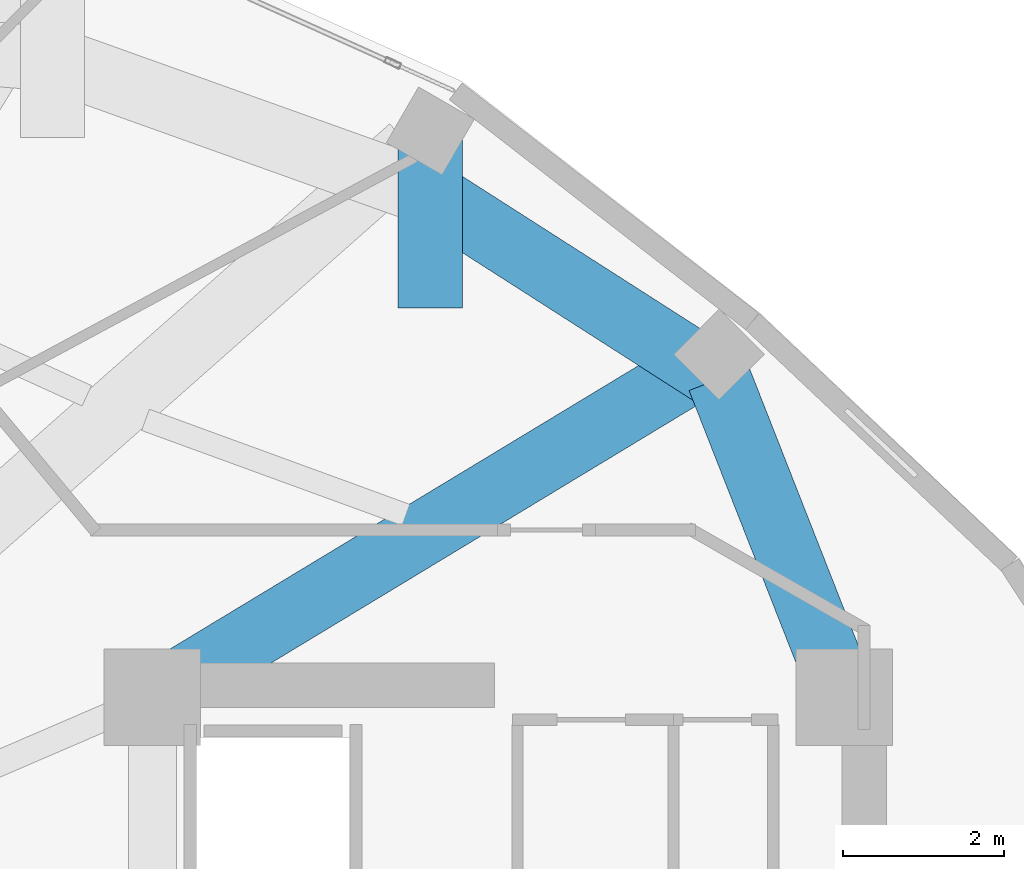
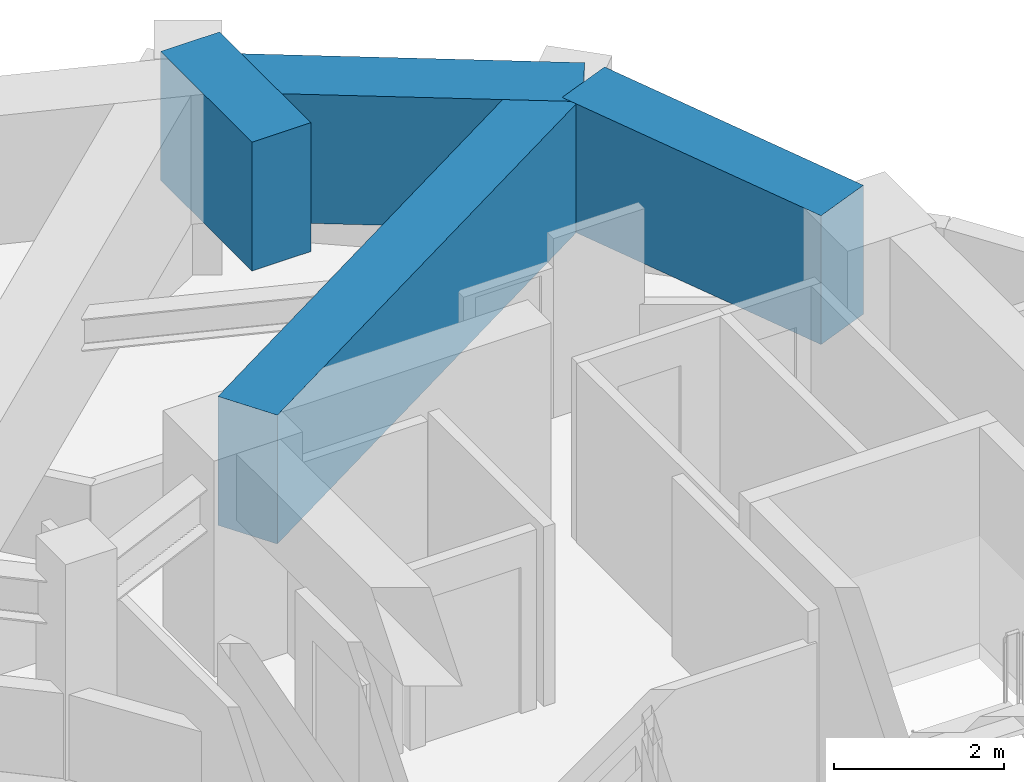
# One storey, part 7 of 17: 4 beams.
"""IFC4 building model written with IfcOpenShell, lengths in metres."""

import ifcopenshell
import ifcopenshell.guid

model = None  # the IFC model being written
_history = None  # IfcOwnerHistory: only IFC2X3 demands one
_inside = {}  # id of a spatial element -> (the spatial element, [elements in it])
_under = {}  # id of a project, library or spatial element -> (it, [spatial elements below it])
_declared = {}  # id of a project -> (the project, [libraries it declares])
_typed = {}  # id of a type object -> (the type object, [elements of that type])
_made_of = {}  # id of a material, layer set ... -> (it, [elements and type objects made of it])


def new_model(schema):
    """Start an empty IFC model of exactly this schema.

    Asked for "IFC4X3", IfcOpenShell would pick the latest addendum, in which some entities
    have other attributes; the version numbers below select the first issue.
    IFC2X3 requires an IfcOwnerHistory on every rooted entity: one is made here for all.
    """
    global model, _history
    if schema == "IFC4X3":
        model = ifcopenshell.file(schema_version=(4, 3, 0, 0))
    else:
        model = ifcopenshell.file(schema=schema)
    _inside.clear()
    _under.clear()
    _declared.clear()
    _typed.clear()
    _made_of.clear()
    _history = None
    if model.schema == "IFC2X3":
        org = make("IfcOrganization", Name="unknown")
        user = make(
            "IfcPersonAndOrganization",
            ThePerson=make("IfcPerson", FamilyName="unknown"),
            TheOrganization=org,
        )
        app = make(
            "IfcApplication",
            ApplicationDeveloper=org,
            Version="unknown",
            ApplicationFullName="unknown",
            ApplicationIdentifier="unknown",
        )
        _history = make(
            "IfcOwnerHistory",
            OwningUser=user,
            OwningApplication=app,
            ChangeAction="ADDED",
            CreationDate=0,
        )
    return model


def make(cls, **values):
    """One entity of the class cls with the attributes given. An attribute that is None is left unset."""
    return model.create_entity(
        cls, **{name: value for name, value in values.items() if value is not None}
    )


def rooted(cls, **values):
    """An entity with a GlobalId (a new one), such as an element, a storey or a relation."""
    return make(cls, GlobalId=ifcopenshell.guid.new(), OwnerHistory=_history, **values)


def si_unit(unit_type, name, prefix=None):
    """IfcSIUnit, for example si_unit("LENGTHUNIT", "METRE", prefix="MILLI")."""
    return make("IfcSIUnit", UnitType=unit_type, Prefix=prefix, Name=name)


def assignment(units):
    """IfcUnitAssignment: the units of a project."""
    return None if units is None else make("IfcUnitAssignment", Units=units)


def point(xyz):
    """IfcCartesianPoint."""
    return None if xyz is None else make("IfcCartesianPoint", Coordinates=xyz)


def direction(xyz):
    """IfcDirection."""
    return None if xyz is None else make("IfcDirection", DirectionRatios=xyz)


def frame(location, z_axis=None, x_axis=None):
    """IfcAxis2Placement3D, a coordinate frame: its origin and axes. An axis left out is left unset."""
    return make(
        "IfcAxis2Placement3D",
        Location=point(location),
        Axis=direction(z_axis),
        RefDirection=direction(x_axis),
    )


def frame_2d(location, x_axis=None):
    """IfcAxis2Placement2D, a coordinate frame in the plane: its origin and x axis."""
    return make(
        "IfcAxis2Placement2D", Location=point(location), RefDirection=direction(x_axis)
    )


def origin():
    """The frame at (0, 0, 0) with its axes left unset."""
    return frame((0.0, 0.0, 0.0))


def origin_2d():
    """The frame at (0, 0) in the plane with its x axis left unset."""
    return frame_2d((0.0, 0.0))


def place(relative_to, where):
    """IfcLocalPlacement: puts the frame where relative to a parent placement (None: the world)."""
    return make(
        "IfcLocalPlacement", PlacementRelTo=relative_to, RelativePlacement=where
    )


def context(
    kind, dimensions, precision=None, world=None, true_north=None, identifier=None
):
    """IfcGeometricRepresentationContext, for example the 3D "Model" context."""
    return make(
        "IfcGeometricRepresentationContext",
        ContextIdentifier=identifier,
        ContextType=kind,
        CoordinateSpaceDimension=dimensions,
        Precision=precision,
        WorldCoordinateSystem=world,
        TrueNorth=true_north,
    )


def subcontext(parent, identifier, kind, view, scale=None):
    """IfcGeometricRepresentationSubContext, for example "Body" below "Model"."""
    return make(
        "IfcGeometricRepresentationSubContext",
        ContextIdentifier=identifier,
        ContextType=kind,
        ParentContext=parent,
        TargetScale=scale,
        TargetView=view,
    )


def project(units=None, contexts=None):
    """IfcProject with its units and contexts."""
    return rooted(
        "IfcProject",
        Name="project",
        RepresentationContexts=contexts,
        UnitsInContext=assignment(units),
    )


def spatial(cls, under=None, at=None, **own):
    """A site, building, storey or space (cls), placed at a placement, below another one or the project."""
    s = rooted(cls, ObjectPlacement=at, **own)
    if under is not None:
        _under.setdefault(under.id(), (under, []))[1].append(s)
    return s


def profile(cls, at=None, kind="AREA", **sizes):
    """A parametric profile (cls). Its sizes go by their IFC names, for example OverallWidth=200.0."""
    return make(cls, ProfileType=kind, Position=at, **sizes)


def rectangle(**sizes):
    """IfcRectangleProfileDef."""
    return profile("IfcRectangleProfileDef", **sizes)


def extrude(swept, where, along, depth):
    """IfcExtrudedAreaSolid: the profile swept, set in the frame where, extruded along a direction by depth."""
    return make(
        "IfcExtrudedAreaSolid",
        SweptArea=swept,
        Position=where,
        ExtrudedDirection=direction(along),
        Depth=depth,
    )


def shape(context_of_items, identifier, shape_type, items):
    """IfcShapeRepresentation: the items that make up one representation, for example the "Body"."""
    return make(
        "IfcShapeRepresentation",
        ContextOfItems=context_of_items,
        RepresentationIdentifier=identifier,
        RepresentationType=shape_type,
        Items=items,
    )


def material(Name=None, Category=None):
    """IfcMaterial."""
    return make("IfcMaterial", Name=Name, Category=Category)


def material_profile(
    of_material, cross_section, Name=None, Category=None, Priority=None
):
    """IfcMaterialProfile: a cross section and its material."""
    return make(
        "IfcMaterialProfile",
        Name=Name,
        Material=of_material,
        Profile=cross_section,
        Priority=Priority,
        Category=Category,
    )


def profile_set(profiles, Name=None, composite=None):
    """IfcMaterialProfileSet."""
    return make(
        "IfcMaterialProfileSet",
        Name=Name,
        MaterialProfiles=profiles,
        CompositeProfile=composite,
    )


def made_of(thing, what):
    """Note that an element or type object is made of a material, layer set ...; save() writes the relation."""
    if what is not None:
        _made_of.setdefault(what.id(), (what, []))[1].append(thing)
    return thing


def type_object(cls, material=None, **own):
    """A type object (cls), such as IfcWallType, which elements share."""
    return made_of(rooted(cls, **own), material)


def element(
    cls,
    number,
    at=None,
    inside=None,
    cuts=None,
    type_object=None,
    material=None,
    context=None,
    identifier="Body",
    shape_type=None,
    held_by="IfcProductDefinitionShape",
    body=None,
    shapes=None,
    **own,
):
    """One element of the class cls, such as IfcWall. Its Tag is "e" and its number.

    at: its placement. inside: the storey or other place that contains it. cuts: it is an
    opening in that element (IfcRelVoidsElement). A single representation is given by context,
    identifier, shape_type and body (its items); several are given by shapes. held_by: the class
    of the entity that holds the representations. save() writes the other relations.
    """
    e = rooted(cls, Tag="e%d" % number, ObjectPlacement=at, **own)
    if body is not None:
        shapes = [shape(context, identifier, shape_type, body)]
    if shapes is not None:
        e.Representation = make(held_by, Representations=shapes)
    if inside is not None:
        _inside.setdefault(inside.id(), (inside, []))[1].append(e)
    if cuts is not None:
        rooted(
            "IfcRelVoidsElement", RelatingBuildingElement=cuts, RelatedOpeningElement=e
        )
    if type_object is not None:
        _typed.setdefault(type_object.id(), (type_object, []))[1].append(e)
    return made_of(e, material)


def aggregate(whole, parts):
    """IfcRelAggregates: a whole, such as a stair, and the parts it consists of."""
    return rooted("IfcRelAggregates", RelatingObject=whole, RelatedObjects=parts)


def save(model, path):
    """Write the relations noted so far, then the file.

    IfcRelAggregates (storeys below a building ...), IfcRelContainedInSpatialStructure (elements
    in a storey), IfcRelDefinesByType, IfcRelAssociatesMaterial and IfcRelDeclares: one each for
    every whole, place, type object, material and project.
    """
    for whole, parts in _under.values():
        aggregate(whole, parts)
    for where, things in _inside.values():
        rooted(
            "IfcRelContainedInSpatialStructure",
            RelatedElements=things,
            RelatingStructure=where,
        )
    for kind, things in _typed.values():
        rooted("IfcRelDefinesByType", RelatedObjects=things, RelatingType=kind)
    for what, things in _made_of.values():
        rooted("IfcRelAssociatesMaterial", RelatedObjects=things, RelatingMaterial=what)
    for by, libraries in _declared.values():
        rooted("IfcRelDeclares", RelatingContext=by, RelatedDefinitions=libraries)
    model.write(path)


model = new_model("IFC4")

# Units and contexts
model_context = context("Model", 3, precision=1e-05, world=origin(), true_north=direction((0.0, 1.0)))
body_context = subcontext(model_context, "Body", "Model", "MODEL_VIEW")
ifc_project = project(units=[si_unit("LENGTHUNIT", "METRE"), si_unit("AREAUNIT", "SQUARE_METRE"), si_unit("VOLUMEUNIT", "CUBIC_METRE"), si_unit("PLANEANGLEUNIT", "RADIAN"), si_unit("MASSUNIT", "GRAM", prefix="KILO")], contexts=[model_context])

# Site, building, storey
site_placement = place(None, origin())
site = spatial("IfcSite", under=ifc_project, at=site_placement, CompositionType="ELEMENT")
building_placement = place(site_placement, origin())
building = spatial("IfcBuilding", under=site, at=building_placement, Name="Solvane Sanctuary Tower", CompositionType="ELEMENT")
storey_placement = place(building_placement, frame((0.0, 0.0, 235.699951171875)))
storey = spatial("IfcBuildingStorey", under=building, at=storey_placement, Name="L72", CompositionType="ELEMENT", Elevation=235.699951171875)

# Beams
ifc_material = material(Name="Concrete C70/85", Category="concrete")
ifc_material_profile = material_profile(ifc_material, rectangle(XDim=0.800048828125, YDim=1.85009765625, at=origin_2d()), Name="RC800X1850")
ifc_profile_set = profile_set([ifc_material_profile], Name="Concrete C70/85")
beam_type = type_object("IfcBeamType", Name="Beam B-XFER-BLK RC800X1850", PredefinedType="BEAM", material=ifc_profile_set)
beam_1_placement = place(storey_placement, frame((40.407958984375, 30.38623046875, 2.175048828125), z_axis=(0.855612120123, 0.517617522789, 0.0), x_axis=(-0.517617522789, 0.855612120123, 0.0)))
element("IfcBeam", 1, at=beam_1_placement, inside=storey, type_object=beam_type, Name="L72 Block-Shift Radial Transfer Girder 01A", PredefinedType="BEAM", context=body_context, shape_type="SweptSolid", body=[
    extrude(rectangle(XDim=0.800048828125, YDim=1.85009765625, at=origin_2d()), origin(), (0.0, 0.0, 1.0), 7.59375),
])
beam_2_placement = place(storey_placement, frame((43.55517578125, 37.19140625, 2.175048828125), z_axis=(0.0, -1.0, 0.0), x_axis=(1.0, 0.0, 0.0)))
element("IfcBeam", 2, at=beam_2_placement, inside=storey, type_object=beam_type, Name="L72 Block-Shift Transfer Tie 02B", PredefinedType="BEAM", context=body_context, shape_type="SweptSolid", body=[
    extrude(rectangle(XDim=0.800048828125, YDim=1.85009765625, at=origin_2d()), origin(), (0.0, 0.0, 1.0), 2.14990234375),
])
beam_3_placement = place(storey_placement, frame((43.55517578125, 36.45703125, 2.175048828125), z_axis=(0.842259957274, -0.539071576299, 0.0), x_axis=(0.539071576299, 0.842259957274, 0.0)))
element("IfcBeam", 3, at=beam_3_placement, inside=storey, type_object=beam_type, Name="L72 Perimeter Step Transfer Ring NTC02-NTC01", PredefinedType="BEAM", context=body_context, shape_type="SweptSolid", body=[
    extrude(rectangle(XDim=0.800048828125, YDim=1.85009765625, at=origin_2d()), origin(), (0.0, 0.0, 1.0), 4.26220703125),
])
beam_4_placement = place(storey_placement, frame((47.14501953125, 34.159423828125, 2.175048828125), z_axis=(0.365545674733, -0.930793403331, 0.0), x_axis=(0.930793403331, 0.365545674733, 0.0)))
element("IfcBeam", 4, at=beam_4_placement, inside=storey, type_object=beam_type, Name="L72 Perimeter Step Transfer Ring NTC01-CE3", PredefinedType="BEAM", context=body_context, shape_type="SweptSolid", body=[
    extrude(rectangle(XDim=0.800048828125, YDim=1.85009765625, at=origin_2d()), origin(), (0.0, 0.0, 1.0), 3.893798828125),
])

save(model, "model.ifc")
